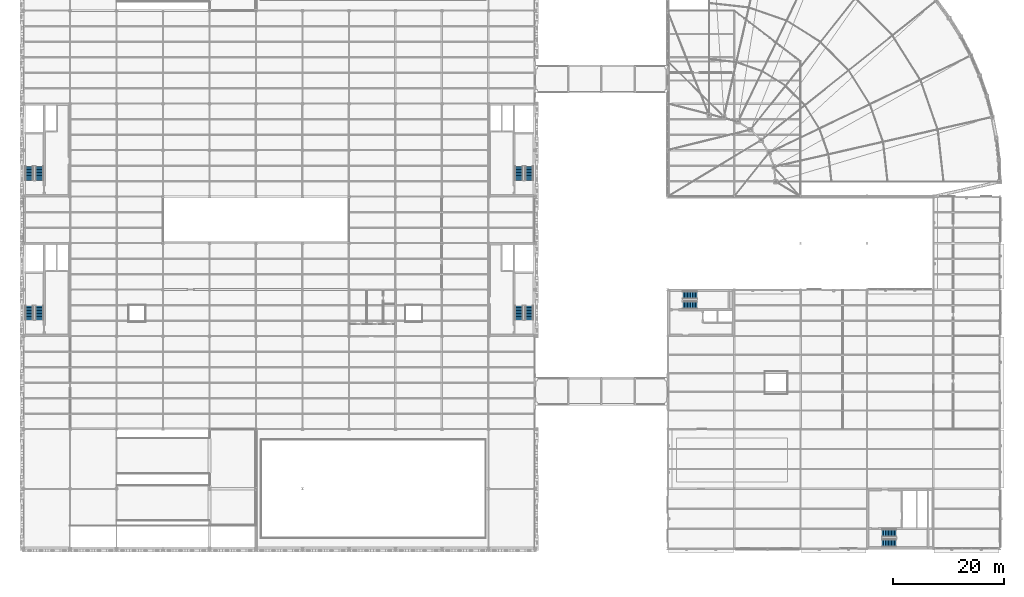
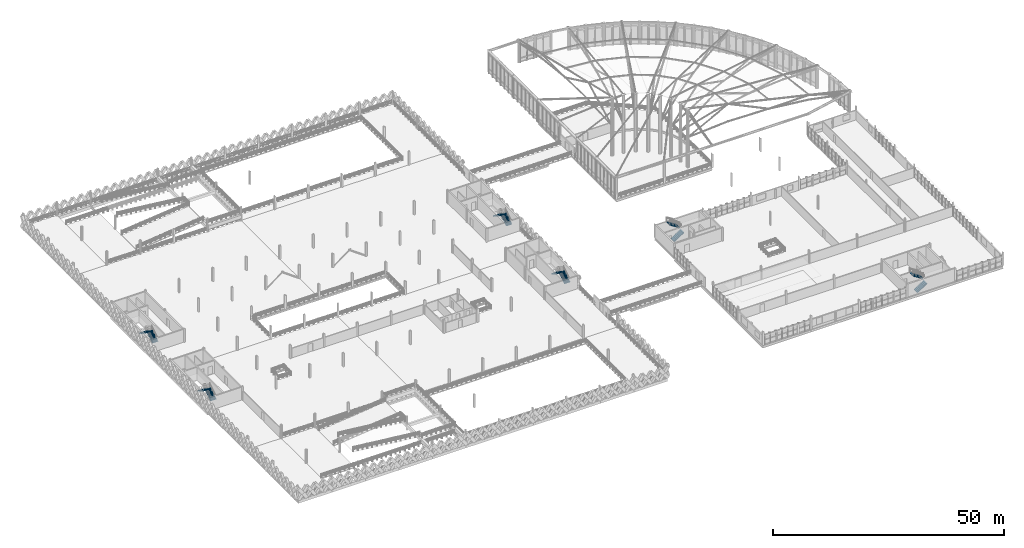
# One storey, part 90 of 101: 12 stair flights, 6 elements without a shape of their own.
"""IFC4 building model written with IfcOpenShell, lengths in metres."""

from ifc_helpers import new_model, si_unit, direction, frame, origin, place, context, subcontext, project, spatial, polyline, outline, extrude, material, type_object, element, aggregate, save


model = new_model("IFC4")

# Units and contexts
model_context = context("Model", 3, precision=1e-05, world=origin(), true_north=direction((0.0, 1.0)))
body_context = subcontext(model_context, "Body", "Model", "MODEL_VIEW")
ifc_project = project(units=[si_unit("LENGTHUNIT", "METRE"), si_unit("AREAUNIT", "SQUARE_METRE"), si_unit("VOLUMEUNIT", "CUBIC_METRE"), si_unit("PLANEANGLEUNIT", "RADIAN"), si_unit("MASSUNIT", "GRAM", prefix="KILO"), si_unit("THERMODYNAMICTEMPERATUREUNIT", "KELVIN"), si_unit("POWERUNIT", "WATT")], contexts=[model_context])

# Site, building, storey
site_placement = place(None, origin())
site = spatial("IfcSite", under=ifc_project, at=site_placement, CompositionType="ELEMENT")
building_placement = place(site_placement, origin())
building = spatial("IfcBuilding", under=site, at=building_placement, Name="Tembeka Court Mobility Hub", CompositionType="ELEMENT")
storey_placement = place(building_placement, frame((0.0, 0.0, 5.39990234375)))
storey = spatial("IfcBuildingStorey", under=building, at=storey_placement, Name="L01", CompositionType="ELEMENT", Elevation=5.39990234375)

# Stair, stair flights
ifc_material = material(Name="Concrete C40/50", Category="concrete")
stair_type_1 = type_object("IfcStairType", Name="STR-ST01L01", PredefinedType="HALF_TURN_STAIR", material=ifc_material)
stair_1_placement = place(storey_placement, origin())
stair_1 = element("IfcStair", 1, at=stair_1_placement, inside=storey, type_object=stair_type_1, Name="Protected exit stair ST01 (L01)", PredefinedType="HALF_TURN_STAIR")
stair_flight_type_1 = type_object("IfcStairFlightType", Name="STF-ST01L01F1", PredefinedType="STRAIGHT", material=ifc_material)
stair_flight_1_placement = place(storey_placement, frame((2.875, 41.35009765625, 0.0), z_axis=(0.0, 0.0, 1.0), x_axis=(0.0, 1.0, 0.0)))
stair_flight_1 = element("IfcStairFlight", 2, at=stair_flight_1_placement, type_object=stair_flight_type_1, Name="ST01L01 flight 1", NumberOfRisers=10, NumberOfTreads=9, PredefinedType="STRAIGHT", RiserHeight=0.18, TreadLength=0.28, context=body_context, shape_type="SweptSolid", body=[
    extrude(outline(polyline([(0.0, 0.0), (0.0, 0.179931640625), (0.280029296875, 0.179931640625), (0.280029296875, 0.360107421875), (0.56005859375, 0.360107421875), (0.56005859375, 0.5400390625), (0.840087890625, 0.5400390625), (0.840087890625, 0.719970703125), (1.1201171875, 0.719970703125), (1.1201171875, 0.89990234375), (1.39990234375, 0.89990234375), (1.39990234375, 1.080078125), (1.679931640625, 1.080078125), (1.679931640625, 1.260009765625), (1.9599609375, 1.260009765625), (1.9599609375, 1.43994140625), (2.239990234375, 1.43994140625), (2.239990234375, 1.6201171875), (2.52001953125, 1.6201171875), (2.52001953125, 1.800048828125), (2.52001953125, 1.44189453125), (0.277099609375, 0.0), (0.0, 0.0)])), frame((0.0, 0.72509765625, 0.0), z_axis=(0.0, -1.0, 0.0), x_axis=(1.0, 0.0, 0.0)), (0.0, 0.0, 1.0), 1.449951171875),
])
stair_flight_type_2 = type_object("IfcStairFlightType", Name="STF-ST01L01F2", PredefinedType="STRAIGHT", material=ifc_material)
stair_flight_2_placement = place(storey_placement, frame((1.02490234375, 43.8701171875, 1.800048828125), z_axis=(0.0, 0.0, 1.0), x_axis=(0.0, -1.0, 0.0)))
stair_flight_2 = element("IfcStairFlight", 3, at=stair_flight_2_placement, type_object=stair_flight_type_2, Name="ST01L01 flight 2", NumberOfRisers=10, NumberOfTreads=9, PredefinedType="STRAIGHT", RiserHeight=0.18, TreadLength=0.28, context=body_context, shape_type="SweptSolid", body=[
    extrude(outline(polyline([(0.0, 0.0), (0.0, 0.179931640625), (0.280029296875, 0.179931640625), (0.280029296875, 0.360107421875), (0.56005859375, 0.360107421875), (0.56005859375, 0.5400390625), (0.840087890625, 0.5400390625), (0.840087890625, 0.719970703125), (1.1201171875, 0.719970703125), (1.1201171875, 0.89990234375), (1.39990234375, 0.89990234375), (1.39990234375, 1.080078125), (1.679931640625, 1.080078125), (1.679931640625, 1.260009765625), (1.9599609375, 1.260009765625), (1.9599609375, 1.43994140625), (2.239990234375, 1.43994140625), (2.239990234375, 1.6201171875), (2.52001953125, 1.6201171875), (2.52001953125, 1.800048828125), (2.52001953125, 1.44189453125), (0.277099609375, 0.0), (0.0, 0.0)])), frame((0.0, 0.72509765625, 0.0), z_axis=(0.0, -1.0, 0.0), x_axis=(1.0, 0.0, 0.0)), (0.0, 0.0, 1.0), 1.449951171875),
])
aggregate(stair_1, [stair_flight_1, stair_flight_2])

stair_type_2 = type_object("IfcStairType", Name="STR-ST02L01", PredefinedType="HALF_TURN_STAIR", material=ifc_material)
stair_2_placement = place(storey_placement, origin())
stair_2 = element("IfcStair", 4, at=stair_2_placement, inside=storey, type_object=stair_type_2, Name="Protected exit stair ST02 (L01)", PredefinedType="HALF_TURN_STAIR")
stair_flight_type_3 = type_object("IfcStairFlightType", Name="STF-ST02L01F1", PredefinedType="STRAIGHT", material=ifc_material)
stair_flight_3_placement = place(storey_placement, frame((91.375, 66.550048828125, 0.0), z_axis=(0.0, 0.0, 1.0), x_axis=(0.0, 1.0, 0.0)))
stair_flight_3 = element("IfcStairFlight", 5, at=stair_flight_3_placement, type_object=stair_flight_type_3, Name="ST02L01 flight 1", NumberOfRisers=10, NumberOfTreads=9, PredefinedType="STRAIGHT", RiserHeight=0.18, TreadLength=0.28, context=body_context, shape_type="SweptSolid", body=[
    extrude(outline(polyline([(0.0, 0.0), (0.0, 0.179931640625), (0.280029296875, 0.179931640625), (0.280029296875, 0.360107421875), (0.56005859375, 0.360107421875), (0.56005859375, 0.5400390625), (0.840087890625, 0.5400390625), (0.840087890625, 0.719970703125), (1.1201171875, 0.719970703125), (1.1201171875, 0.89990234375), (1.39990234375, 0.89990234375), (1.39990234375, 1.080078125), (1.679931640625, 1.080078125), (1.679931640625, 1.260009765625), (1.9599609375, 1.260009765625), (1.9599609375, 1.43994140625), (2.239990234375, 1.43994140625), (2.239990234375, 1.6201171875), (2.52001953125, 1.6201171875), (2.52001953125, 1.800048828125), (2.52001953125, 1.44189453125), (0.277099609375, 0.0), (0.0, 0.0)])), frame((0.0, 0.72509765625, 0.0), z_axis=(0.0, -1.0, 0.0), x_axis=(1.0, 0.0, 0.0)), (0.0, 0.0, 1.0), 1.449951171875),
])
stair_flight_type_4 = type_object("IfcStairFlightType", Name="STF-ST02L01F2", PredefinedType="STRAIGHT", material=ifc_material)
stair_flight_4_placement = place(storey_placement, frame((89.52490234375, 69.070068359375, 1.800048828125), z_axis=(0.0, 0.0, 1.0), x_axis=(0.0, -1.0, 0.0)))
stair_flight_4 = element("IfcStairFlight", 6, at=stair_flight_4_placement, type_object=stair_flight_type_4, Name="ST02L01 flight 2", NumberOfRisers=10, NumberOfTreads=9, PredefinedType="STRAIGHT", RiserHeight=0.18, TreadLength=0.28, context=body_context, shape_type="SweptSolid", body=[
    extrude(outline(polyline([(0.0, 0.0), (0.0, 0.179931640625), (0.280029296875, 0.179931640625), (0.280029296875, 0.360107421875), (0.56005859375, 0.360107421875), (0.56005859375, 0.5400390625), (0.840087890625, 0.5400390625), (0.840087890625, 0.719970703125), (1.1201171875, 0.719970703125), (1.1201171875, 0.89990234375), (1.39990234375, 0.89990234375), (1.39990234375, 1.080078125), (1.679931640625, 1.080078125), (1.679931640625, 1.260009765625), (1.9599609375, 1.260009765625), (1.9599609375, 1.43994140625), (2.239990234375, 1.43994140625), (2.239990234375, 1.6201171875), (2.52001953125, 1.6201171875), (2.52001953125, 1.800048828125), (2.52001953125, 1.44189453125), (0.277099609375, 0.0), (0.0, 0.0)])), frame((0.0, 0.72509765625, 0.0), z_axis=(0.0, -1.0, 0.0), x_axis=(1.0, 0.0, 0.0)), (0.0, 0.0, 1.0), 1.449951171875),
])
aggregate(stair_2, [stair_flight_3, stair_flight_4])

stair_type_3 = type_object("IfcStairType", Name="STR-ST03L01", PredefinedType="HALF_TURN_STAIR", material=ifc_material)
stair_3_placement = place(storey_placement, origin())
stair_3 = element("IfcStair", 7, at=stair_3_placement, inside=storey, type_object=stair_type_3, Name="Protected exit stair ST03 (L01)", PredefinedType="HALF_TURN_STAIR")
stair_flight_type_5 = type_object("IfcStairFlightType", Name="STF-ST03L01F1", PredefinedType="STRAIGHT", material=ifc_material)
stair_flight_5_placement = place(storey_placement, frame((2.875, 66.550048828125, 0.0), z_axis=(0.0, 0.0, 1.0), x_axis=(0.0, 1.0, 0.0)))
stair_flight_5 = element("IfcStairFlight", 8, at=stair_flight_5_placement, type_object=stair_flight_type_5, Name="ST03L01 flight 1", NumberOfRisers=10, NumberOfTreads=9, PredefinedType="STRAIGHT", RiserHeight=0.18, TreadLength=0.28, context=body_context, shape_type="SweptSolid", body=[
    extrude(outline(polyline([(0.0, 0.0), (0.0, 0.179931640625), (0.280029296875, 0.179931640625), (0.280029296875, 0.360107421875), (0.56005859375, 0.360107421875), (0.56005859375, 0.5400390625), (0.840087890625, 0.5400390625), (0.840087890625, 0.719970703125), (1.1201171875, 0.719970703125), (1.1201171875, 0.89990234375), (1.39990234375, 0.89990234375), (1.39990234375, 1.080078125), (1.679931640625, 1.080078125), (1.679931640625, 1.260009765625), (1.9599609375, 1.260009765625), (1.9599609375, 1.43994140625), (2.239990234375, 1.43994140625), (2.239990234375, 1.6201171875), (2.52001953125, 1.6201171875), (2.52001953125, 1.800048828125), (2.52001953125, 1.44189453125), (0.277099609375, 0.0), (0.0, 0.0)])), frame((0.0, 0.72509765625, 0.0), z_axis=(0.0, -1.0, 0.0), x_axis=(1.0, 0.0, 0.0)), (0.0, 0.0, 1.0), 1.449951171875),
])
stair_flight_type_6 = type_object("IfcStairFlightType", Name="STF-ST03L01F2", PredefinedType="STRAIGHT", material=ifc_material)
stair_flight_6_placement = place(storey_placement, frame((1.02490234375, 69.070068359375, 1.800048828125), z_axis=(0.0, 0.0, 1.0), x_axis=(0.0, -1.0, 0.0)))
stair_flight_6 = element("IfcStairFlight", 9, at=stair_flight_6_placement, type_object=stair_flight_type_6, Name="ST03L01 flight 2", NumberOfRisers=10, NumberOfTreads=9, PredefinedType="STRAIGHT", RiserHeight=0.18, TreadLength=0.28, context=body_context, shape_type="SweptSolid", body=[
    extrude(outline(polyline([(0.0, 0.0), (0.0, 0.179931640625), (0.280029296875, 0.179931640625), (0.280029296875, 0.360107421875), (0.56005859375, 0.360107421875), (0.56005859375, 0.5400390625), (0.840087890625, 0.5400390625), (0.840087890625, 0.719970703125), (1.1201171875, 0.719970703125), (1.1201171875, 0.89990234375), (1.39990234375, 0.89990234375), (1.39990234375, 1.080078125), (1.679931640625, 1.080078125), (1.679931640625, 1.260009765625), (1.9599609375, 1.260009765625), (1.9599609375, 1.43994140625), (2.239990234375, 1.43994140625), (2.239990234375, 1.6201171875), (2.52001953125, 1.6201171875), (2.52001953125, 1.800048828125), (2.52001953125, 1.44189453125), (0.277099609375, 0.0), (0.0, 0.0)])), frame((0.0, 0.72509765625, 0.0), z_axis=(0.0, -1.0, 0.0), x_axis=(1.0, 0.0, 0.0)), (0.0, 0.0, 1.0), 1.449951171875),
])
aggregate(stair_3, [stair_flight_5, stair_flight_6])

stair_type_4 = type_object("IfcStairType", Name="STR-ST04L01", PredefinedType="HALF_TURN_STAIR", material=ifc_material)
stair_4_placement = place(storey_placement, origin())
stair_4 = element("IfcStair", 10, at=stair_4_placement, inside=storey, type_object=stair_type_4, Name="Protected exit stair ST04 (L01)", PredefinedType="HALF_TURN_STAIR")
stair_flight_type_7 = type_object("IfcStairFlightType", Name="STF-ST04L01F1", PredefinedType="STRAIGHT", material=ifc_material)
stair_flight_7_placement = place(storey_placement, frame((91.375, 41.35009765625, 0.0), z_axis=(0.0, 0.0, 1.0), x_axis=(0.0, 1.0, 0.0)))
stair_flight_7 = element("IfcStairFlight", 11, at=stair_flight_7_placement, type_object=stair_flight_type_7, Name="ST04L01 flight 1", NumberOfRisers=10, NumberOfTreads=9, PredefinedType="STRAIGHT", RiserHeight=0.18, TreadLength=0.28, context=body_context, shape_type="SweptSolid", body=[
    extrude(outline(polyline([(0.0, 0.0), (0.0, 0.179931640625), (0.280029296875, 0.179931640625), (0.280029296875, 0.360107421875), (0.56005859375, 0.360107421875), (0.56005859375, 0.5400390625), (0.840087890625, 0.5400390625), (0.840087890625, 0.719970703125), (1.1201171875, 0.719970703125), (1.1201171875, 0.89990234375), (1.39990234375, 0.89990234375), (1.39990234375, 1.080078125), (1.679931640625, 1.080078125), (1.679931640625, 1.260009765625), (1.9599609375, 1.260009765625), (1.9599609375, 1.43994140625), (2.239990234375, 1.43994140625), (2.239990234375, 1.6201171875), (2.52001953125, 1.6201171875), (2.52001953125, 1.800048828125), (2.52001953125, 1.44189453125), (0.277099609375, 0.0), (0.0, 0.0)])), frame((0.0, 0.72509765625, 0.0), z_axis=(0.0, -1.0, 0.0), x_axis=(1.0, 0.0, 0.0)), (0.0, 0.0, 1.0), 1.449951171875),
])
stair_flight_type_8 = type_object("IfcStairFlightType", Name="STF-ST04L01F2", PredefinedType="STRAIGHT", material=ifc_material)
stair_flight_8_placement = place(storey_placement, frame((89.52490234375, 43.8701171875, 1.800048828125), z_axis=(0.0, 0.0, 1.0), x_axis=(0.0, -1.0, 0.0)))
stair_flight_8 = element("IfcStairFlight", 12, at=stair_flight_8_placement, type_object=stair_flight_type_8, Name="ST04L01 flight 2", NumberOfRisers=10, NumberOfTreads=9, PredefinedType="STRAIGHT", RiserHeight=0.18, TreadLength=0.28, context=body_context, shape_type="SweptSolid", body=[
    extrude(outline(polyline([(0.0, 0.0), (0.0, 0.179931640625), (0.280029296875, 0.179931640625), (0.280029296875, 0.360107421875), (0.56005859375, 0.360107421875), (0.56005859375, 0.5400390625), (0.840087890625, 0.5400390625), (0.840087890625, 0.719970703125), (1.1201171875, 0.719970703125), (1.1201171875, 0.89990234375), (1.39990234375, 0.89990234375), (1.39990234375, 1.080078125), (1.679931640625, 1.080078125), (1.679931640625, 1.260009765625), (1.9599609375, 1.260009765625), (1.9599609375, 1.43994140625), (2.239990234375, 1.43994140625), (2.239990234375, 1.6201171875), (2.52001953125, 1.6201171875), (2.52001953125, 1.800048828125), (2.52001953125, 1.44189453125), (0.277099609375, 0.0), (0.0, 0.0)])), frame((0.0, 0.72509765625, 0.0), z_axis=(0.0, -1.0, 0.0), x_axis=(1.0, 0.0, 0.0)), (0.0, 0.0, 1.0), 1.449951171875),
])
aggregate(stair_4, [stair_flight_7, stair_flight_8])

stair_type_5 = type_object("IfcStairType", Name="STR-ST05L01", PredefinedType="HALF_TURN_STAIR", material=ifc_material)
stair_5_placement = place(storey_placement, origin())
stair_5 = element("IfcStair", 13, at=stair_5_placement, inside=storey, type_object=stair_type_5, Name="Protected exit stair ST05 (L01)", PredefinedType="HALF_TURN_STAIR")
stair_flight_type_9 = type_object("IfcStairFlightType", Name="STF-ST05L01F1", PredefinedType="STRAIGHT", material=ifc_material)
stair_flight_9_placement = place(storey_placement, frame((119.14990234375, 44.0, 0.0), z_axis=(0.0, 0.0, 1.0), x_axis=(1.0, 0.0, 0.0)))
stair_flight_9 = element("IfcStairFlight", 14, at=stair_flight_9_placement, type_object=stair_flight_type_9, Name="ST05L01 flight 1", NumberOfRisers=10, NumberOfTreads=9, PredefinedType="STRAIGHT", RiserHeight=0.18, TreadLength=0.28, context=body_context, shape_type="SweptSolid", body=[
    extrude(outline(polyline([(0.0, 0.0), (0.0, 0.179931640625), (0.280029296875, 0.179931640625), (0.280029296875, 0.360107421875), (0.56005859375, 0.360107421875), (0.56005859375, 0.5400390625), (0.840087890625, 0.5400390625), (0.840087890625, 0.719970703125), (1.1201171875, 0.719970703125), (1.1201171875, 0.89990234375), (1.39990234375, 0.89990234375), (1.39990234375, 1.080078125), (1.679931640625, 1.080078125), (1.679931640625, 1.260009765625), (1.9599609375, 1.260009765625), (1.9599609375, 1.43994140625), (2.239990234375, 1.43994140625), (2.239990234375, 1.6201171875), (2.52001953125, 1.6201171875), (2.52001953125, 1.800048828125), (2.52001953125, 1.44189453125), (0.277099609375, 0.0), (0.0, 0.0)])), frame((0.0, 0.699951171875, 0.0), z_axis=(0.0, -1.0, 0.0), x_axis=(1.0, 0.0, 0.0)), (0.0, 0.0, 1.0), 1.39990234375),
])
stair_flight_type_10 = type_object("IfcStairFlightType", Name="STF-ST05L01F2", PredefinedType="STRAIGHT", material=ifc_material)
stair_flight_10_placement = place(storey_placement, frame((121.669921875, 45.800048828125, 1.800048828125), z_axis=(0.0, 0.0, 1.0), x_axis=(-1.0, 0.0, 0.0)))
stair_flight_10 = element("IfcStairFlight", 15, at=stair_flight_10_placement, type_object=stair_flight_type_10, Name="ST05L01 flight 2", NumberOfRisers=10, NumberOfTreads=9, PredefinedType="STRAIGHT", RiserHeight=0.18, TreadLength=0.28, context=body_context, shape_type="SweptSolid", body=[
    extrude(outline(polyline([(0.0, 0.0), (0.0, 0.179931640625), (0.280029296875, 0.179931640625), (0.280029296875, 0.360107421875), (0.56005859375, 0.360107421875), (0.56005859375, 0.5400390625), (0.840087890625, 0.5400390625), (0.840087890625, 0.719970703125), (1.1201171875, 0.719970703125), (1.1201171875, 0.89990234375), (1.39990234375, 0.89990234375), (1.39990234375, 1.080078125), (1.679931640625, 1.080078125), (1.679931640625, 1.260009765625), (1.9599609375, 1.260009765625), (1.9599609375, 1.43994140625), (2.239990234375, 1.43994140625), (2.239990234375, 1.6201171875), (2.52001953125, 1.6201171875), (2.52001953125, 1.800048828125), (2.52001953125, 1.44189453125), (0.277099609375, 0.0), (0.0, 0.0)])), frame((0.0, 0.699951171875, 0.0), z_axis=(0.0, -1.0, 0.0), x_axis=(1.0, 0.0, 0.0)), (0.0, 0.0, 1.0), 1.39990234375),
])
aggregate(stair_5, [stair_flight_9, stair_flight_10])

stair_type_6 = type_object("IfcStairType", Name="STR-ST06L01", PredefinedType="HALF_TURN_STAIR", material=ifc_material)
stair_6_placement = place(storey_placement, origin())
stair_6 = element("IfcStair", 16, at=stair_6_placement, inside=storey, type_object=stair_type_6, Name="Protected exit stair ST06 (L01)", PredefinedType="HALF_TURN_STAIR")
stair_flight_type_11 = type_object("IfcStairFlightType", Name="STF-ST06L01F1", PredefinedType="STRAIGHT", material=ifc_material)
stair_flight_11_placement = place(storey_placement, frame((155.14990234375, 1.0, 0.0), z_axis=(0.0, 0.0, 1.0), x_axis=(1.0, 0.0, 0.0)))
stair_flight_11 = element("IfcStairFlight", 17, at=stair_flight_11_placement, type_object=stair_flight_type_11, Name="ST06L01 flight 1", NumberOfRisers=10, NumberOfTreads=9, PredefinedType="STRAIGHT", RiserHeight=0.18, TreadLength=0.28, context=body_context, shape_type="SweptSolid", body=[
    extrude(outline(polyline([(0.0, 0.0), (0.0, 0.179931640625), (0.280029296875, 0.179931640625), (0.280029296875, 0.360107421875), (0.56005859375, 0.360107421875), (0.56005859375, 0.5400390625), (0.840087890625, 0.5400390625), (0.840087890625, 0.719970703125), (1.1201171875, 0.719970703125), (1.1201171875, 0.89990234375), (1.39990234375, 0.89990234375), (1.39990234375, 1.080078125), (1.679931640625, 1.080078125), (1.679931640625, 1.260009765625), (1.9599609375, 1.260009765625), (1.9599609375, 1.43994140625), (2.239990234375, 1.43994140625), (2.239990234375, 1.6201171875), (2.52001953125, 1.6201171875), (2.52001953125, 1.800048828125), (2.52001953125, 1.44189453125), (0.277099609375, 0.0), (0.0, 0.0)])), frame((0.0, 0.699951171875, 0.0), z_axis=(0.0, -1.0, 0.0), x_axis=(1.0, 0.0, 0.0)), (0.0, 0.0, 1.0), 1.39990234375),
])
stair_flight_type_12 = type_object("IfcStairFlightType", Name="STF-ST06L01F2", PredefinedType="STRAIGHT", material=ifc_material)
stair_flight_12_placement = place(storey_placement, frame((157.669921875, 2.800048828125, 1.800048828125), z_axis=(0.0, 0.0, 1.0), x_axis=(-1.0, 0.0, 0.0)))
stair_flight_12 = element("IfcStairFlight", 18, at=stair_flight_12_placement, type_object=stair_flight_type_12, Name="ST06L01 flight 2", NumberOfRisers=10, NumberOfTreads=9, PredefinedType="STRAIGHT", RiserHeight=0.18, TreadLength=0.28, context=body_context, shape_type="SweptSolid", body=[
    extrude(outline(polyline([(0.0, 0.0), (0.0, 0.179931640625), (0.280029296875, 0.179931640625), (0.280029296875, 0.360107421875), (0.56005859375, 0.360107421875), (0.56005859375, 0.5400390625), (0.840087890625, 0.5400390625), (0.840087890625, 0.719970703125), (1.1201171875, 0.719970703125), (1.1201171875, 0.89990234375), (1.39990234375, 0.89990234375), (1.39990234375, 1.080078125), (1.679931640625, 1.080078125), (1.679931640625, 1.260009765625), (1.9599609375, 1.260009765625), (1.9599609375, 1.43994140625), (2.239990234375, 1.43994140625), (2.239990234375, 1.6201171875), (2.52001953125, 1.6201171875), (2.52001953125, 1.800048828125), (2.52001953125, 1.44189453125), (0.277099609375, 0.0), (0.0, 0.0)])), frame((0.0, 0.699951171875, 0.0), z_axis=(0.0, -1.0, 0.0), x_axis=(1.0, 0.0, 0.0)), (0.0, 0.0, 1.0), 1.39990234375),
])
aggregate(stair_6, [stair_flight_11, stair_flight_12])

save(model, "model.ifc")
